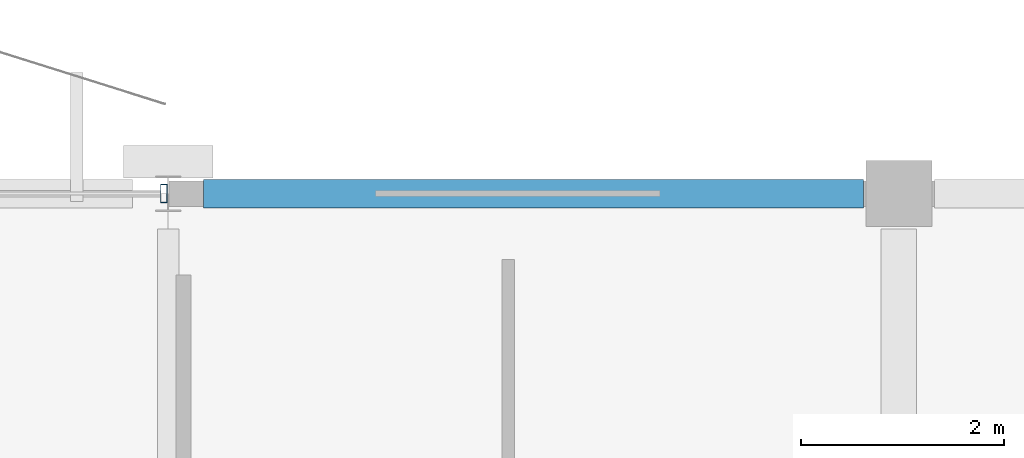
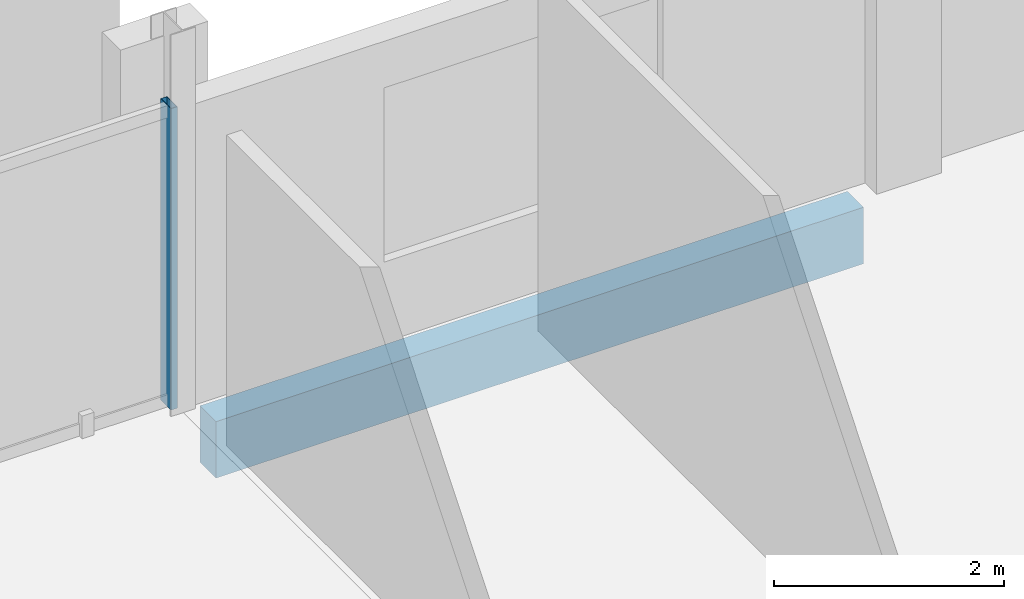
# One storey, part 57 of 91: 1 beam, 1 member, 1 element without a shape of its own.
"""IFC4 building model written with IfcOpenShell, lengths in metres."""

from ifc_helpers import new_model, si_unit, direction, frame, origin, origin_2d, place, context, subcontext, project, spatial, rectangle, hollow_rectangle, extrude, material, layer, layer_set, material_profile, profile_set, type_object, element, aggregate, save


model = new_model("IFC4")

# Units and contexts
model_context = context("Model", 3, precision=1e-05, world=origin(), true_north=direction((0.0, 1.0)))
body_context = subcontext(model_context, "Body", "Model", "MODEL_VIEW")
ifc_project = project(units=[si_unit("LENGTHUNIT", "METRE"), si_unit("AREAUNIT", "SQUARE_METRE"), si_unit("VOLUMEUNIT", "CUBIC_METRE"), si_unit("PLANEANGLEUNIT", "RADIAN"), si_unit("MASSUNIT", "GRAM", prefix="KILO")], contexts=[model_context])

# Site, building, storey
site_placement = place(None, origin())
site = spatial("IfcSite", under=ifc_project, at=site_placement, CompositionType="ELEMENT")
building_placement = place(site_placement, origin())
building = spatial("IfcBuilding", under=site, at=building_placement, Name="Kangsadwip Square Police Headquarters", CompositionType="ELEMENT")
storey_placement = place(building_placement, frame((0.0, 0.0, 13.5)))
storey = spatial("IfcBuildingStorey", under=building, at=storey_placement, Name="L03", CompositionType="ELEMENT", Elevation=13.5)

# Curtain wall, member
ifc_material_1 = material(Name="Thermally broken anodised aluminium AW-6063-T6", Category="aluminium")
ifc_layer = layer(ifc_material_1, 0.159912109375)
ifc_layer_set = layer_set([ifc_layer], Name="Thermally broken anodised aluminium AW-6063-T6")
curtain_wall_type = type_object("IfcCurtainWallType", Name="UnitisedCw7180x3200", PredefinedType="NOTDEFINED", material=ifc_layer_set)
curtain_wall_placement = place(storey_placement, origin())
curtain_wall = element("IfcCurtainWall", 1, at=curtain_wall_placement, inside=storey, type_object=curtain_wall_type, Name="Curtain Wall CW-L03-1368-1152", PredefinedType="NOTDEFINED")
ifc_material_2 = material(Name="Thermally broken anodised aluminium AW-6063-T6", Category="aluminium")
ifc_material_profile_1 = material_profile(ifc_material_2, hollow_rectangle(XDim=0.06494140625, YDim=0.179931640625, WallThickness=0.00390625, at=origin_2d()), Name="CWM 180X65X4")
ifc_profile_set_1 = profile_set([ifc_material_profile_1], Name="Thermally broken anodised aluminium AW-6063-T6")
member_type = type_object("IfcMemberType", Name="CwMullion160x65", PredefinedType="MULLION", material=ifc_profile_set_1)
member_placement = place(storey_placement, frame((143.95751953125, 115.199951171875, 0.0), z_axis=(0.0, 0.0, 1.0), x_axis=(1.0, 0.0, 0.0)))
member = element("IfcMember", 2, at=member_placement, type_object=member_type, Name="CW-38 mullion 3", PredefinedType="MULLION", context=body_context, shape_type="SweptSolid", body=[
    extrude(hollow_rectangle(XDim=0.06494140625, YDim=0.179931640625, WallThickness=0.00390625, at=origin_2d()), origin(), (0.0, 0.0, 1.0), 3.199951171875),
])
aggregate(curtain_wall, [member])

# Beam
ifc_material_3 = material(Name="Concrete M40 (40 MPa)", Category="concrete")
ifc_material_profile_2 = material_profile(ifc_material_3, rectangle(XDim=0.280029296875, YDim=0.60009765625, at=origin_2d()), Name="RC SPN 600X280")
ifc_profile_set_2 = profile_set([ifc_material_profile_2], Name="Concrete M40 (40 MPa)")
beam_type = type_object("IfcBeamType", Name="RcSpandrel600x280", PredefinedType="SPANDREL", material=ifc_profile_set_2)
beam_placement = place(storey_placement, frame((144.35009765625, 115.199951171875, -0.5400390625), z_axis=(1.0, 0.0, 0.0), x_axis=(0.0, 1.0, 0.0)))
element("IfcBeam", 3, at=beam_placement, inside=storey, type_object=beam_type, Name="Beam BM-L03-X-20-16", PredefinedType="SPANDREL", context=body_context, shape_type="SweptSolid", body=[
    extrude(rectangle(XDim=0.280029296875, YDim=0.60009765625, at=origin_2d()), origin(), (0.0, 0.0, 1.0), 6.5),
])

save(model, "model.ifc")
